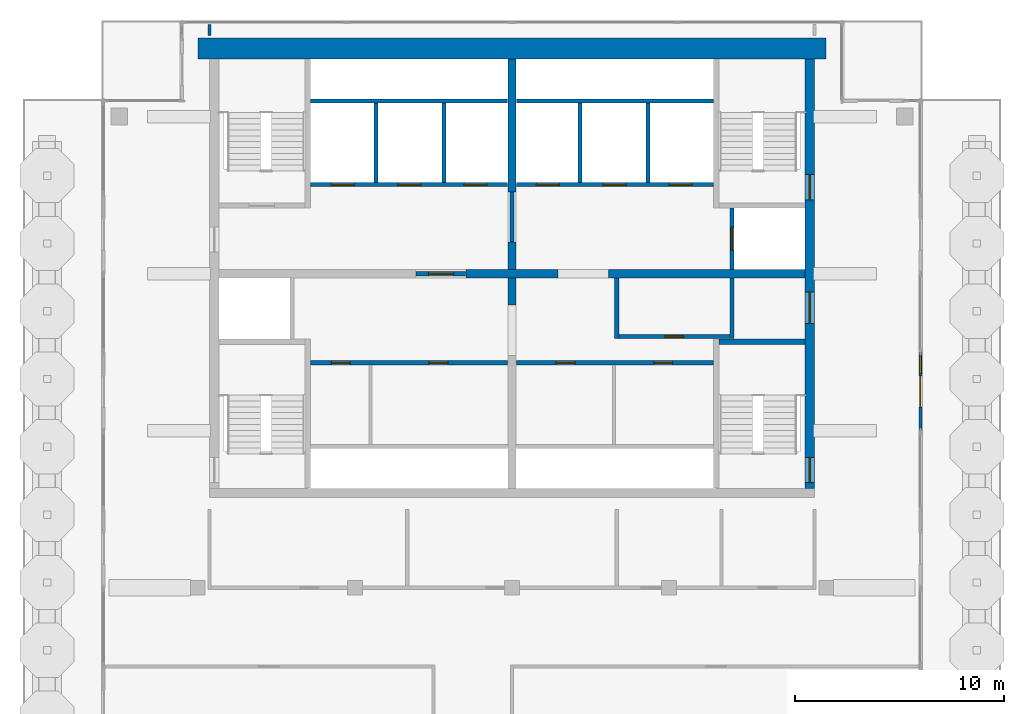
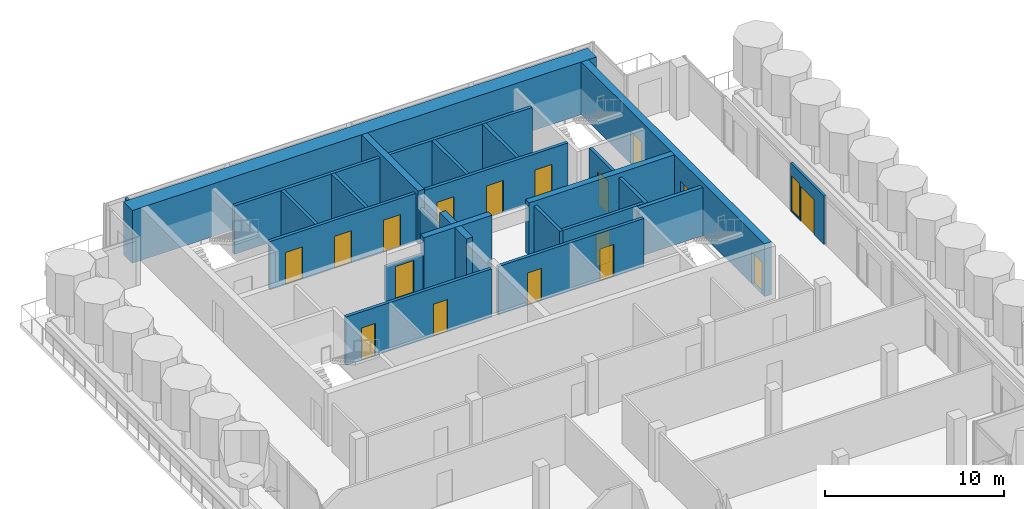
# One storey, part 10 of 15: 26 walls, 17 doors, 1 window, 18 openings.
"""IFC4 building model written with IfcOpenShell, lengths in metres."""

from ifc_helpers import new_model, si_unit, direction, frame, frame_2d, origin, place, context, subcontext, project, spatial, rectangle, extrude, material, layer, layer_set, type_object, element, fill, save


model = new_model("IFC4")

# Units and contexts
model_context = context("Model", 3, precision=1e-05, world=origin(), true_north=direction((0.0, 1.0)))
body_context = subcontext(model_context, "Body", "Model", "MODEL_VIEW")
ifc_project = project(units=[si_unit("LENGTHUNIT", "METRE"), si_unit("AREAUNIT", "SQUARE_METRE"), si_unit("VOLUMEUNIT", "CUBIC_METRE"), si_unit("PLANEANGLEUNIT", "RADIAN"), si_unit("MASSUNIT", "GRAM", prefix="KILO")], contexts=[model_context])

# Site, building, storey
site_placement = place(None, origin())
site = spatial("IfcSite", under=ifc_project, at=site_placement, CompositionType="ELEMENT")
building_placement = place(site_placement, origin())
building = spatial("IfcBuilding", under=site, at=building_placement, Name="Pilkhan Gate Tower", CompositionType="ELEMENT")
storey_placement = place(building_placement, frame((0.0, 0.0, 265.699951171875)))
storey = spatial("IfcBuildingStorey", under=building, at=storey_placement, Name="L69", CompositionType="ELEMENT", Elevation=265.699951171875)

# Wall
ifc_material_1 = material(Name="Concrete C50/60", Category="concrete")
ifc_layer_1 = layer(ifc_material_1, 1.0)
ifc_layer_set_1 = layer_set([ifc_layer_1], Name="Core wall CW1000 C50/60")
wall_type_1 = type_object("IfcWallType", Name="Core wall CW1000 C50/60", PredefinedType="SHEAR", material=ifc_layer_set_1)
wall_1_placement = place(storey_placement, frame((90.0, 93.25, 0.0), z_axis=(0.0, 0.0, 1.0), x_axis=(-1.0, 0.0, 0.0)))
element("IfcWall", 1, at=wall_1_placement, inside=storey, type_object=wall_type_1, Name="Core wall N L69", PredefinedType="SHEAR", context=body_context, shape_type="SweptSolid", body=[
    extrude(rectangle(XDim=30.0, YDim=1.0, at=frame_2d((15.0, 0.0))), origin(), (0.0, 0.0, 1.0), 3.60009765625),
])

# Wall, openings, doors
ifc_layer_2 = layer(ifc_material_1, 0.449951171875)
ifc_layer_set_2 = layer_set([ifc_layer_2], Name="Core wall CW450 C50/60")
wall_type_2 = type_object("IfcWallType", Name="Core wall CW450 C50/60", PredefinedType="SHEAR", material=ifc_layer_set_2)
wall_2_placement = place(storey_placement, frame((89.22509765625, 72.25, 0.0), z_axis=(0.0, 0.0, 1.0), x_axis=(0.0, 1.0, 0.0)))
wall_2 = element("IfcWall", 2, at=wall_2_placement, inside=storey, type_object=wall_type_2, Name="Core wall E L69", PredefinedType="SHEAR", context=body_context, shape_type="SweptSolid", body=[
    extrude(rectangle(XDim=20.5, YDim=0.449951171875, at=frame_2d((10.25, 0.0))), origin(), (0.0, 0.0, 1.0), 3.60009765625),
])
opening_1_placement = place(wall_2_placement, frame((0.27490234375, 0.0, 0.0)))
opening_1 = element("IfcOpeningElement", 3, at=opening_1_placement, cuts=wall_2, Name="Opening L69-03", PredefinedType="OPENING", context=body_context, shape_type="SweptSolid", body=[
    extrude(rectangle(XDim=1.199951171875, YDim=2.199951171875, at=frame_2d((0.60009765625, 1.10009765625))), frame((0.0, 0.23486328125, 0.0), z_axis=(0.0, -1.0, 0.0), x_axis=(1.0, 0.0, 0.0)), (0.0, 0.0, 1.0), 0.469970703125),
])
opening_2_placement = place(wall_2_placement, frame((13.77490234375, 0.0, 0.0)))
opening_2 = element("IfcOpeningElement", 4, at=opening_2_placement, cuts=wall_2, Name="Opening L69-05", PredefinedType="OPENING", context=body_context, shape_type="SweptSolid", body=[
    extrude(rectangle(XDim=1.199951171875, YDim=2.199951171875, at=frame_2d((0.60009765625, 1.10009765625))), frame((0.0, 0.23486328125, 0.0), z_axis=(0.0, -1.0, 0.0), x_axis=(1.0, 0.0, 0.0)), (0.0, 0.0, 1.0), 0.469970703125),
])
opening_3_placement = place(wall_2_placement, frame((7.875, 0.0, 0.0)))
opening_3 = element("IfcOpeningElement", 5, at=opening_3_placement, cuts=wall_2, Name="Opening L69-06", PredefinedType="OPENING", context=body_context, shape_type="SweptSolid", body=[
    extrude(rectangle(XDim=1.5, YDim=2.199951171875, at=frame_2d((0.75, 1.10009765625))), frame((0.0, 0.23486328125, 0.0), z_axis=(0.0, -1.0, 0.0), x_axis=(1.0, 0.0, 0.0)), (0.0, 0.0, 1.0), 0.469970703125),
])
ifc_material_2 = material(Name="Steel framed glazed door, 60 minute fire resisting", Category="steel")
door_type_1 = type_object("IfcDoorType", Name="Lobby door D09 1500x2200", OperationType="DOUBLE_DOOR_SINGLE_SWING", PredefinedType="DOOR", material=ifc_material_2)
door_1_placement = place(opening_3_placement, origin())
door_1 = element("IfcDoor", 6, at=door_1_placement, inside=storey, type_object=door_type_1, Name="Core door", OperationType="DOUBLE_DOOR_SINGLE_SWING", OverallHeight=2.199951171875, OverallWidth=1.5, PredefinedType="DOOR", context=body_context, shape_type="SweptSolid", body=[
    extrude(rectangle(XDim=1.5, YDim=2.199951171875, at=frame_2d((0.75, 1.10009765625))), frame((0.0, 0.02490234375, 0.0), z_axis=(0.0, -1.0, 0.0), x_axis=(1.0, 0.0, 0.0)), (0.0, 0.0, 1.0), 0.050048828125),
])
fill(opening_3, door_1)
ifc_material_3 = material(Name="Steel door, 120 minute fire resisting, panic bar", Category="steel")
door_type_2 = type_object("IfcDoorType", Name="Stair door D11 1200x2200", OperationType="SINGLE_SWING_LEFT", PredefinedType="DOOR", material=ifc_material_3)
door_2_placement = place(opening_1_placement, origin())
door_2 = element("IfcDoor", 7, at=door_2_placement, inside=storey, type_object=door_type_2, Name="Stair ST1 door", OperationType="SINGLE_SWING_RIGHT", OverallHeight=2.199951171875, OverallWidth=1.199951171875, PredefinedType="DOOR", context=body_context, shape_type="SweptSolid", body=[
    extrude(rectangle(XDim=1.199951171875, YDim=2.199951171875, at=frame_2d((0.60009765625, 1.10009765625))), frame((0.0, 0.02490234375, 0.0), z_axis=(0.0, -1.0, 0.0), x_axis=(1.0, 0.0, 0.0)), (0.0, 0.0, 1.0), 0.050048828125),
])
fill(opening_1, door_2)
door_3_placement = place(opening_2_placement, origin())
door_3 = element("IfcDoor", 8, at=door_3_placement, inside=storey, type_object=door_type_2, Name="Stair ST4 door", OperationType="SINGLE_SWING_LEFT", OverallHeight=2.199951171875, OverallWidth=1.199951171875, PredefinedType="DOOR", context=body_context, shape_type="SweptSolid", body=[
    extrude(rectangle(XDim=1.199951171875, YDim=2.199951171875, at=frame_2d((0.60009765625, 1.10009765625))), frame((0.0, 0.02490234375, 0.0), z_axis=(0.0, -1.0, 0.0), x_axis=(1.0, 0.0, 0.0)), (0.0, 0.0, 1.0), 0.050048828125),
])
fill(opening_2, door_3)

# Wall, openings, door, window
ifc_material_4 = material(Name="Pale anodised aluminium, clear laminated glazing", Category="aluminium")
ifc_layer_3 = layer(ifc_material_4, 0.14990234375)
ifc_layer_set_3 = layer_set([ifc_layer_3], Name="Facade infill wall IW150")
wall_type_3 = type_object("IfcWallType", Name="Facade infill wall IW150", PredefinedType="SOLIDWALL", material=ifc_layer_set_3)
wall_3_placement = place(storey_placement, frame((94.5, 78.75, 0.0), z_axis=(0.0, 0.0, 1.0), x_axis=(0.0, -1.0, 0.0)))
wall_3 = element("IfcWall", 9, at=wall_3_placement, inside=storey, type_object=wall_type_3, Name="Infill wall L69 E", PredefinedType="SOLIDWALL", context=body_context, shape_type="SweptSolid", body=[
    extrude(rectangle(XDim=3.75, YDim=0.14990234375, at=frame_2d((1.875, 0.0))), origin(), (0.0, 0.0, 1.0), 3.300048828125),
])
opening_4_placement = place(wall_3_placement, frame((0.112548828125, 0.0, 0.10009765625)))
opening_4 = element("IfcOpeningElement", 10, at=opening_4_placement, cuts=wall_3, Name="Opening W1", PredefinedType="OPENING", context=body_context, shape_type="SweptSolid", body=[
    extrude(rectangle(XDim=0.89990234375, YDim=2.39990234375, at=frame_2d((0.449951171875, 1.199951171875))), frame((0.0, 0.0849609375, 0.0), z_axis=(0.0, -1.0, 0.0), x_axis=(1.0, 0.0, 0.0)), (0.0, 0.0, 1.0), 0.169921875),
])
opening_5_placement = place(wall_3_placement, frame((1.125, 0.0, 0.0)))
opening_5 = element("IfcOpeningElement", 11, at=opening_5_placement, cuts=wall_3, Name="Opening D5", PredefinedType="OPENING", context=body_context, shape_type="SweptSolid", body=[
    extrude(rectangle(XDim=1.5, YDim=2.39990234375, at=frame_2d((0.75, 1.199951171875))), frame((0.0, 0.0849609375, 0.0), z_axis=(0.0, -1.0, 0.0), x_axis=(1.0, 0.0, 0.0)), (0.0, 0.0, 1.0), 0.169921875),
])
ifc_material_5 = material(Name="Pale anodised aluminium, clear glazing", Category="aluminium")
door_type_3 = type_object("IfcDoorType", Name="Terrace door D5 1500x2400", OperationType="DOUBLE_DOOR_SINGLE_SWING", PredefinedType="DOOR", material=ifc_material_5)
door_4_placement = place(opening_5_placement, origin())
door_4 = element("IfcDoor", 12, at=door_4_placement, inside=storey, type_object=door_type_3, Name="Terrace door L69", OperationType="DOUBLE_DOOR_SINGLE_SWING", OverallHeight=2.39990234375, OverallWidth=1.5, PredefinedType="DOOR", context=body_context, shape_type="SweptSolid", body=[
    extrude(rectangle(XDim=1.5, YDim=2.39990234375, at=frame_2d((0.75, 1.199951171875))), frame((0.0, 0.02490234375, 0.0), z_axis=(0.0, -1.0, 0.0), x_axis=(1.0, 0.0, 0.0)), (0.0, 0.0, 1.0), 0.050048828125),
])
fill(opening_5, door_4)
ifc_material_6 = material(Name="Pale anodised aluminium, clear double glazing", Category="aluminium")
window_type = type_object("IfcWindowType", Name="Window W1 900x2400", PartitioningType="SINGLE_PANEL", PredefinedType="WINDOW", material=ifc_material_6)
window_placement = place(opening_4_placement, origin())
window = element("IfcWindow", 13, at=window_placement, inside=storey, type_object=window_type, Name="Window L69", OverallHeight=2.39990234375, OverallWidth=0.89990234375, PartitioningType="SINGLE_PANEL", PredefinedType="WINDOW", context=body_context, shape_type="SweptSolid", body=[
    extrude(rectangle(XDim=0.89990234375, YDim=2.39990234375, at=frame_2d((0.449951171875, 1.199951171875))), frame((0.0, 0.030029296875, 0.0), z_axis=(0.0, -1.0, 0.0), x_axis=(1.0, 0.0, 0.0)), (0.0, 0.0, 1.0), 0.06005859375),
])
fill(opening_4, window)

# Wall, openings, doors
ifc_material_7 = material(Name="Dense blockwork", Category="masonry")
ifc_layer_4 = layer(ifc_material_7, 0.199951171875)
ifc_layer_set_4 = layer_set([ifc_layer_4], Name="Lobby wall LW200")
wall_type_4 = type_object("IfcWallType", Name="Lobby wall LW200", PredefinedType="PARTITIONING", material=ifc_layer_set_4)
wall_4_placement = place(storey_placement, frame((65.375, 78.25, 0.0), z_axis=(0.0, 0.0, 1.0), x_axis=(1.0, 0.0, 0.0)))
wall_4 = element("IfcWall", 14, at=wall_4_placement, inside=storey, type_object=wall_type_4, Name="Partition L69", PredefinedType="PARTITIONING", context=body_context, shape_type="SweptSolid", body=[
    extrude(rectangle(XDim=9.4150390625, YDim=0.199951171875, at=frame_2d((4.70751953125, 0.0))), origin(), (0.0, 0.0, 1.0), 3.300048828125),
])
opening_6_placement = place(wall_4_placement, frame((1.0, 0.0, 0.0)))
opening_6 = element("IfcOpeningElement", 15, at=opening_6_placement, cuts=wall_4, Name="Opening L69-09", PredefinedType="OPENING", context=body_context, shape_type="SweptSolid", body=[
    extrude(rectangle(XDim=0.89990234375, YDim=2.199951171875, at=frame_2d((0.449951171875, 1.10009765625))), frame((0.0, 0.10986328125, 0.0), z_axis=(0.0, -1.0, 0.0), x_axis=(1.0, 0.0, 0.0)), (0.0, 0.0, 1.0), 0.219970703125),
])
opening_7_placement = place(wall_4_placement, frame((5.6650390625, 0.0, 0.0)))
opening_7 = element("IfcOpeningElement", 16, at=opening_7_placement, cuts=wall_4, Name="Opening L69-10", PredefinedType="OPENING", context=body_context, shape_type="SweptSolid", body=[
    extrude(rectangle(XDim=0.89990234375, YDim=2.199951171875, at=frame_2d((0.449951171875, 1.10009765625))), frame((0.0, 0.10986328125, 0.0), z_axis=(0.0, -1.0, 0.0), x_axis=(1.0, 0.0, 0.0)), (0.0, 0.0, 1.0), 0.219970703125),
])
ifc_material_8 = material(Name="Timber flush door, 60 minute fire resisting, self-closing", Category="wood")
door_type_4 = type_object("IfcDoorType", Name="Store door D05 900x2200", OperationType="SINGLE_SWING_LEFT", PredefinedType="DOOR", material=ifc_material_8)
door_5_placement = place(opening_6_placement, origin())
door_5 = element("IfcDoor", 17, at=door_5_placement, inside=storey, type_object=door_type_4, Name="Store door", OperationType="SINGLE_SWING_LEFT", OverallHeight=2.199951171875, OverallWidth=0.89990234375, PredefinedType="DOOR", context=body_context, shape_type="SweptSolid", body=[
    extrude(rectangle(XDim=0.89990234375, YDim=2.199951171875, at=frame_2d((0.449951171875, 1.10009765625))), frame((0.0, 0.02490234375, 0.0), z_axis=(0.0, -1.0, 0.0), x_axis=(1.0, 0.0, 0.0)), (0.0, 0.0, 1.0), 0.050048828125),
])
fill(opening_6, door_5)
door_6_placement = place(opening_7_placement, origin())
door_6 = element("IfcDoor", 18, at=door_6_placement, inside=storey, type_object=door_type_4, Name="Store door", OperationType="SINGLE_SWING_LEFT", OverallHeight=2.199951171875, OverallWidth=0.89990234375, PredefinedType="DOOR", context=body_context, shape_type="SweptSolid", body=[
    extrude(rectangle(XDim=0.89990234375, YDim=2.199951171875, at=frame_2d((0.449951171875, 1.10009765625))), frame((0.0, 0.02490234375, 0.0), z_axis=(0.0, -1.0, 0.0), x_axis=(1.0, 0.0, 0.0)), (0.0, 0.0, 1.0), 0.050048828125),
])
fill(opening_7, door_6)

wall_5_placement = place(storey_placement, frame((75.2099609375, 78.25, 0.0), z_axis=(0.0, 0.0, 1.0), x_axis=(1.0, 0.0, 0.0)))
wall_5 = element("IfcWall", 19, at=wall_5_placement, inside=storey, type_object=wall_type_4, Name="Partition L69", PredefinedType="PARTITIONING", context=body_context, shape_type="SweptSolid", body=[
    extrude(rectangle(XDim=9.4150390625, YDim=0.199951171875, at=frame_2d((4.70751953125, 0.0))), origin(), (0.0, 0.0, 1.0), 3.300048828125),
])
opening_8_placement = place(wall_5_placement, frame((1.89990234375, 0.0, 0.0)))
opening_8 = element("IfcOpeningElement", 20, at=opening_8_placement, cuts=wall_5, Name="Opening L69-11", PredefinedType="OPENING", context=body_context, shape_type="SweptSolid", body=[
    extrude(rectangle(XDim=0.89990234375, YDim=2.199951171875, at=frame_2d((0.449951171875, 1.10009765625))), frame((0.0, 0.10986328125, 0.0), z_axis=(0.0, -1.0, 0.0), x_axis=(1.0, 0.0, 0.0)), (0.0, 0.0, 1.0), 0.219970703125),
])
opening_9_placement = place(wall_5_placement, frame((6.56494140625, 0.0, 0.0)))
opening_9 = element("IfcOpeningElement", 21, at=opening_9_placement, cuts=wall_5, Name="Opening L69-12", PredefinedType="OPENING", context=body_context, shape_type="SweptSolid", body=[
    extrude(rectangle(XDim=0.89990234375, YDim=2.199951171875, at=frame_2d((0.449951171875, 1.10009765625))), frame((0.0, 0.10986328125, 0.0), z_axis=(0.0, -1.0, 0.0), x_axis=(1.0, 0.0, 0.0)), (0.0, 0.0, 1.0), 0.219970703125),
])
door_7_placement = place(opening_8_placement, origin())
door_7 = element("IfcDoor", 22, at=door_7_placement, inside=storey, type_object=door_type_4, Name="Store door", OperationType="SINGLE_SWING_LEFT", OverallHeight=2.199951171875, OverallWidth=0.89990234375, PredefinedType="DOOR", context=body_context, shape_type="SweptSolid", body=[
    extrude(rectangle(XDim=0.89990234375, YDim=2.199951171875, at=frame_2d((0.449951171875, 1.10009765625))), frame((0.0, 0.02490234375, 0.0), z_axis=(0.0, -1.0, 0.0), x_axis=(1.0, 0.0, 0.0)), (0.0, 0.0, 1.0), 0.050048828125),
])
fill(opening_8, door_7)
door_8_placement = place(opening_9_placement, origin())
door_8 = element("IfcDoor", 23, at=door_8_placement, inside=storey, type_object=door_type_4, Name="Store door", OperationType="SINGLE_SWING_LEFT", OverallHeight=2.199951171875, OverallWidth=0.89990234375, PredefinedType="DOOR", context=body_context, shape_type="SweptSolid", body=[
    extrude(rectangle(XDim=0.89990234375, YDim=2.199951171875, at=frame_2d((0.449951171875, 1.10009765625))), frame((0.0, 0.02490234375, 0.0), z_axis=(0.0, -1.0, 0.0), x_axis=(1.0, 0.0, 0.0)), (0.0, 0.0, 1.0), 0.050048828125),
])
fill(opening_9, door_8)

# Wall, opening, door
wall_6_placement = place(storey_placement, frame((80.10009765625, 79.5, 0.0), z_axis=(0.0, 0.0, 1.0), x_axis=(1.0, 0.0, 0.0)))
wall_6 = element("IfcWall", 24, at=wall_6_placement, inside=storey, type_object=wall_type_4, Name="Partition L69", PredefinedType="PARTITIONING", context=body_context, shape_type="SweptSolid", body=[
    extrude(rectangle(XDim=5.2998046875, YDim=0.199951171875, at=frame_2d((2.64990234375, 0.0))), origin(), (0.0, 0.0, 1.0), 3.300048828125),
])
opening_10_placement = place(wall_6_placement, frame((2.199951171875, 0.0, 0.0)))
opening_10 = element("IfcOpeningElement", 25, at=opening_10_placement, cuts=wall_6, Name="Opening L69-07", PredefinedType="OPENING", context=body_context, shape_type="SweptSolid", body=[
    extrude(rectangle(XDim=0.89990234375, YDim=2.199951171875, at=frame_2d((0.449951171875, 1.10009765625))), frame((0.0, 0.10986328125, 0.0), z_axis=(0.0, -1.0, 0.0), x_axis=(1.0, 0.0, 0.0)), (0.0, 0.0, 1.0), 0.219970703125),
])
door_9_placement = place(opening_10_placement, origin())
door_9 = element("IfcDoor", 26, at=door_9_placement, inside=storey, type_object=door_type_4, Name="Store door", OperationType="SINGLE_SWING_RIGHT", OverallHeight=2.199951171875, OverallWidth=0.89990234375, PredefinedType="DOOR", context=body_context, shape_type="SweptSolid", body=[
    extrude(rectangle(XDim=0.89990234375, YDim=2.199951171875, at=frame_2d((0.449951171875, 1.10009765625))), frame((0.0, 0.02490234375, 0.0), z_axis=(0.0, -1.0, 0.0), x_axis=(1.0, 0.0, 0.0)), (0.0, 0.0, 1.0), 0.050048828125),
])
fill(opening_10, door_9)

wall_7_placement = place(storey_placement, frame((70.409912109375, 82.5, 0.0), z_axis=(0.0, 0.0, 1.0), x_axis=(1.0, 0.0, 0.0)))
wall_7 = element("IfcWall", 27, at=wall_7_placement, inside=storey, type_object=wall_type_4, Name="Partition L69", PredefinedType="PARTITIONING", context=body_context, shape_type="SweptSolid", body=[
    extrude(rectangle(XDim=2.380126953125, YDim=0.199951171875, at=frame_2d((1.18994140625, 0.0))), origin(), (0.0, 0.0, 1.0), 2.400146484375),
])
opening_11_placement = place(wall_7_placement, frame((0.60009765625, 0.0, 0.0)))
opening_11 = element("IfcOpeningElement", 28, at=opening_11_placement, cuts=wall_7, Name="Opening L69-01", PredefinedType="OPENING", context=body_context, shape_type="SweptSolid", body=[
    extrude(rectangle(XDim=1.199951171875, YDim=2.199951171875, at=frame_2d((0.60009765625, 1.10009765625))), frame((0.0, 0.10986328125, 0.0), z_axis=(0.0, -1.0, 0.0), x_axis=(1.0, 0.0, 0.0)), (0.0, 0.0, 1.0), 0.219970703125),
])
ifc_material_9 = material(Name="Steel door, 120 minute fire resisting, self-closing", Category="steel")
door_type_5 = type_object("IfcDoorType", Name="Firefighting lobby door D10 1200x2200", OperationType="SINGLE_SWING_LEFT", PredefinedType="DOOR", material=ifc_material_9)
door_10_placement = place(opening_11_placement, origin())
door_10 = element("IfcDoor", 29, at=door_10_placement, inside=storey, type_object=door_type_5, Name="Firefighting lobby door", OperationType="SINGLE_SWING_RIGHT", OverallHeight=2.199951171875, OverallWidth=1.199951171875, PredefinedType="DOOR", context=body_context, shape_type="SweptSolid", body=[
    extrude(rectangle(XDim=1.199951171875, YDim=2.199951171875, at=frame_2d((0.60009765625, 1.10009765625))), frame((0.0, 0.02490234375, 0.0), z_axis=(0.0, -1.0, 0.0), x_axis=(1.0, 0.0, 0.0)), (0.0, 0.0, 1.0), 0.050048828125),
])
fill(opening_11, door_10)

# Walls
wall_8_placement = place(storey_placement, frame((75.0, 84.010009765625, 0.0), z_axis=(0.0, 0.0, 1.0), x_axis=(0.0, 1.0, 0.0)))
element("IfcWall", 30, at=wall_8_placement, inside=storey, type_object=wall_type_4, Name="Partition L69", PredefinedType="PARTITIONING", context=body_context, shape_type="SweptSolid", body=[
    extrude(rectangle(XDim=2.3798828125, YDim=0.199951171875, at=frame_2d((1.18994140625, 0.0))), origin(), (0.0, 0.0, 1.0), 2.400146484375),
])
for number, where, z_axis, x_axis, name in (
    (31, (80.0, 79.39990234375, 0.0), (0.0, 0.0, 1.0), (0.0, 1.0, 0.0), "Partition L69"),
    (32, (85.5, 79.39990234375, 0.0), (0.0, 0.0, 1.0), (0.0, 1.0, 0.0), "Partition L69"),
):
    element("IfcWall", number, at=place(storey_placement, frame(where, z_axis=z_axis, x_axis=x_axis)), inside=storey, type_object=wall_type_4, Name=name, PredefinedType="PARTITIONING", context=body_context, shape_type="SweptSolid", body=[
        extrude(rectangle(XDim=2.89013671875, YDim=0.199951171875, at=frame_2d((1.445068359375, 0.0))), origin(), (0.0, 0.0, 1.0), 3.300048828125),
    ])
ifc_material_10 = material(Name="Blockwork partition, plastered both sides", Category="masonry")
ifc_layer_5 = layer(ifc_material_10, 0.14990234375)
ifc_layer_set_5 = layer_set([ifc_layer_5], Name="Partition PW150")
wall_type_5 = type_object("IfcWallType", Name="Partition PW150", PredefinedType="PARTITIONING", material=ifc_layer_set_5)
wall_9_placement = place(storey_placement, frame((60.550048828125, 93.8701171875, 0.0), z_axis=(0.0, 0.0, 1.0), x_axis=(0.0, 1.0, 0.0)))
element("IfcWall", 33, at=wall_9_placement, inside=storey, type_object=wall_type_5, Name="Partition L69", PredefinedType="PARTITIONING", context=body_context, shape_type="SweptSolid", body=[
    extrude(rectangle(XDim=0.52490234375, YDim=0.14990234375, at=frame_2d((0.262451171875, 0.0))), origin(), (0.0, 0.0, 1.0), 3.300048828125),
])

# Wall, openings, doors
ifc_material_11 = material(Name="Reinforced blockwork shaft wall, 120 minute fire resisting", Category="masonry")
ifc_layer_6 = layer(ifc_material_11, 0.199951171875)
ifc_layer_set_6 = layer_set([ifc_layer_6], Name="Shaft wall SW200")
wall_type_6 = type_object("IfcWallType", Name="Shaft wall SW200", PredefinedType="PARTITIONING", material=ifc_layer_set_6)
wall_10_placement = place(storey_placement, frame((65.375, 86.75, 0.0), z_axis=(0.0, 0.0, 1.0), x_axis=(1.0, 0.0, 0.0)))
wall_10 = element("IfcWall", 34, at=wall_10_placement, inside=storey, type_object=wall_type_6, Name="Partition L69", PredefinedType="PARTITIONING", context=body_context, shape_type="SweptSolid", body=[
    extrude(rectangle(XDim=9.4150390625, YDim=0.199951171875, at=frame_2d((4.70751953125, 0.0))), origin(), (0.0, 0.0, 1.0), 3.300048828125),
])
opening_12_placement = place(wall_10_placement, frame((1.0, 0.0, 0.0)))
opening_12 = element("IfcOpeningElement", 35, at=opening_12_placement, cuts=wall_10, Name="Opening LD", PredefinedType="OPENING", context=body_context, shape_type="SweptSolid", body=[
    extrude(rectangle(XDim=1.10009765625, YDim=2.199951171875, at=frame_2d((0.550048828125, 1.10009765625))), frame((0.0, 0.10986328125, 0.0), z_axis=(0.0, -1.0, 0.0), x_axis=(1.0, 0.0, 0.0)), (0.0, 0.0, 1.0), 0.219970703125),
])
opening_13_placement = place(wall_10_placement, frame((4.175048828125, 0.0, 0.0)))
opening_13 = element("IfcOpeningElement", 36, at=opening_13_placement, cuts=wall_10, Name="Opening LD", PredefinedType="OPENING", context=body_context, shape_type="SweptSolid", body=[
    extrude(rectangle(XDim=1.10009765625, YDim=2.199951171875, at=frame_2d((0.550048828125, 1.10009765625))), frame((0.0, 0.10986328125, 0.0), z_axis=(0.0, -1.0, 0.0), x_axis=(1.0, 0.0, 0.0)), (0.0, 0.0, 1.0), 0.219970703125),
])
opening_14_placement = place(wall_10_placement, frame((7.324951171875, 0.0, 0.0)))
opening_14 = element("IfcOpeningElement", 37, at=opening_14_placement, cuts=wall_10, Name="Opening LD", PredefinedType="OPENING", context=body_context, shape_type="SweptSolid", body=[
    extrude(rectangle(XDim=1.10009765625, YDim=2.199951171875, at=frame_2d((0.550048828125, 1.10009765625))), frame((0.0, 0.10986328125, 0.0), z_axis=(0.0, -1.0, 0.0), x_axis=(1.0, 0.0, 0.0)), (0.0, 0.0, 1.0), 0.219970703125),
])
ifc_material_12 = material(Name="Stainless steel centre-opening landing door, 120 minute fire resisting", Category="steel")
door_type_6 = type_object("IfcDoorType", Name="Lift landing door LD 1100x2200", OperationType="DOUBLE_DOOR_SLIDING", PredefinedType="DOOR", material=ifc_material_12)
door_11_placement = place(opening_12_placement, origin())
door_11 = element("IfcDoor", 38, at=door_11_placement, inside=storey, type_object=door_type_6, Name="Landing door FF1", OperationType="DOUBLE_DOOR_SLIDING", OverallHeight=2.199951171875, OverallWidth=1.10009765625, PredefinedType="DOOR", context=body_context, shape_type="SweptSolid", body=[
    extrude(rectangle(XDim=1.10009765625, YDim=2.199951171875, at=frame_2d((0.550048828125, 1.10009765625))), frame((0.0, 0.02490234375, 0.0), z_axis=(0.0, -1.0, 0.0), x_axis=(1.0, 0.0, 0.0)), (0.0, 0.0, 1.0), 0.050048828125),
])
fill(opening_12, door_11)
door_12_placement = place(opening_13_placement, origin())
door_12 = element("IfcDoor", 39, at=door_12_placement, inside=storey, type_object=door_type_6, Name="Landing door FF2", OperationType="DOUBLE_DOOR_SLIDING", OverallHeight=2.199951171875, OverallWidth=1.10009765625, PredefinedType="DOOR", context=body_context, shape_type="SweptSolid", body=[
    extrude(rectangle(XDim=1.10009765625, YDim=2.199951171875, at=frame_2d((0.550048828125, 1.10009765625))), frame((0.0, 0.02490234375, 0.0), z_axis=(0.0, -1.0, 0.0), x_axis=(1.0, 0.0, 0.0)), (0.0, 0.0, 1.0), 0.050048828125),
])
fill(opening_13, door_12)
door_13_placement = place(opening_14_placement, origin())
door_13 = element("IfcDoor", 40, at=door_13_placement, inside=storey, type_object=door_type_6, Name="Landing door SV1", OperationType="DOUBLE_DOOR_SLIDING", OverallHeight=2.199951171875, OverallWidth=1.10009765625, PredefinedType="DOOR", context=body_context, shape_type="SweptSolid", body=[
    extrude(rectangle(XDim=1.10009765625, YDim=2.199951171875, at=frame_2d((0.550048828125, 1.10009765625))), frame((0.0, 0.02490234375, 0.0), z_axis=(0.0, -1.0, 0.0), x_axis=(1.0, 0.0, 0.0)), (0.0, 0.0, 1.0), 0.050048828125),
])
fill(opening_14, door_13)

wall_11_placement = place(storey_placement, frame((75.2099609375, 86.75, 0.0), z_axis=(0.0, 0.0, 1.0), x_axis=(1.0, 0.0, 0.0)))
wall_11 = element("IfcWall", 41, at=wall_11_placement, inside=storey, type_object=wall_type_6, Name="Partition L69", PredefinedType="PARTITIONING", context=body_context, shape_type="SweptSolid", body=[
    extrude(rectangle(XDim=9.4150390625, YDim=0.199951171875, at=frame_2d((4.70751953125, 0.0))), origin(), (0.0, 0.0, 1.0), 3.300048828125),
])
opening_15_placement = place(wall_11_placement, frame((0.949951171875, 0.0, 0.0)))
opening_15 = element("IfcOpeningElement", 42, at=opening_15_placement, cuts=wall_11, Name="Opening LD", PredefinedType="OPENING", context=body_context, shape_type="SweptSolid", body=[
    extrude(rectangle(XDim=1.10009765625, YDim=2.199951171875, at=frame_2d((0.550048828125, 1.10009765625))), frame((0.0, 0.10986328125, 0.0), z_axis=(0.0, -1.0, 0.0), x_axis=(1.0, 0.0, 0.0)), (0.0, 0.0, 1.0), 0.219970703125),
])
opening_16_placement = place(wall_11_placement, frame((4.139892578125, 0.0, 0.0)))
opening_16 = element("IfcOpeningElement", 43, at=opening_16_placement, cuts=wall_11, Name="Opening LD", PredefinedType="OPENING", context=body_context, shape_type="SweptSolid", body=[
    extrude(rectangle(XDim=1.10009765625, YDim=2.199951171875, at=frame_2d((0.550048828125, 1.10009765625))), frame((0.0, 0.10986328125, 0.0), z_axis=(0.0, -1.0, 0.0), x_axis=(1.0, 0.0, 0.0)), (0.0, 0.0, 1.0), 0.219970703125),
])
opening_17_placement = place(wall_11_placement, frame((7.2900390625, 0.0, 0.0)))
opening_17 = element("IfcOpeningElement", 44, at=opening_17_placement, cuts=wall_11, Name="Opening LD", PredefinedType="OPENING", context=body_context, shape_type="SweptSolid", body=[
    extrude(rectangle(XDim=1.10009765625, YDim=2.199951171875, at=frame_2d((0.550048828125, 1.10009765625))), frame((0.0, 0.10986328125, 0.0), z_axis=(0.0, -1.0, 0.0), x_axis=(1.0, 0.0, 0.0)), (0.0, 0.0, 1.0), 0.219970703125),
])
door_14_placement = place(opening_15_placement, origin())
door_14 = element("IfcDoor", 45, at=door_14_placement, inside=storey, type_object=door_type_6, Name="Landing door HR1", OperationType="DOUBLE_DOOR_SLIDING", OverallHeight=2.199951171875, OverallWidth=1.10009765625, PredefinedType="DOOR", context=body_context, shape_type="SweptSolid", body=[
    extrude(rectangle(XDim=1.10009765625, YDim=2.199951171875, at=frame_2d((0.550048828125, 1.10009765625))), frame((0.0, 0.02490234375, 0.0), z_axis=(0.0, -1.0, 0.0), x_axis=(1.0, 0.0, 0.0)), (0.0, 0.0, 1.0), 0.050048828125),
])
fill(opening_15, door_14)
door_15_placement = place(opening_16_placement, origin())
door_15 = element("IfcDoor", 46, at=door_15_placement, inside=storey, type_object=door_type_6, Name="Landing door HR2", OperationType="DOUBLE_DOOR_SLIDING", OverallHeight=2.199951171875, OverallWidth=1.10009765625, PredefinedType="DOOR", context=body_context, shape_type="SweptSolid", body=[
    extrude(rectangle(XDim=1.10009765625, YDim=2.199951171875, at=frame_2d((0.550048828125, 1.10009765625))), frame((0.0, 0.02490234375, 0.0), z_axis=(0.0, -1.0, 0.0), x_axis=(1.0, 0.0, 0.0)), (0.0, 0.0, 1.0), 0.050048828125),
])
fill(opening_16, door_15)
door_16_placement = place(opening_17_placement, origin())
door_16 = element("IfcDoor", 47, at=door_16_placement, inside=storey, type_object=door_type_6, Name="Landing door HR3", OperationType="DOUBLE_DOOR_SLIDING", OverallHeight=2.199951171875, OverallWidth=1.10009765625, PredefinedType="DOOR", context=body_context, shape_type="SweptSolid", body=[
    extrude(rectangle(XDim=1.10009765625, YDim=2.199951171875, at=frame_2d((0.550048828125, 1.10009765625))), frame((0.0, 0.02490234375, 0.0), z_axis=(0.0, -1.0, 0.0), x_axis=(1.0, 0.0, 0.0)), (0.0, 0.0, 1.0), 0.050048828125),
])
fill(opening_17, door_16)

# Walls
for number, where, z_axis, x_axis, name in (
    (48, (65.375, 90.75, 0.0), (0.0, 0.0, 1.0), (1.0, 0.0, 0.0), "Partition L69"),
    (49, (75.2099609375, 90.75, 0.0), (0.0, 0.0, 1.0), (1.0, 0.0, 0.0), "Partition L69"),
):
    element("IfcWall", number, at=place(storey_placement, frame(where, z_axis=z_axis, x_axis=x_axis)), inside=storey, type_object=wall_type_6, Name=name, PredefinedType="PARTITIONING", context=body_context, shape_type="SweptSolid", body=[
        extrude(rectangle(XDim=9.4150390625, YDim=0.199951171875, at=frame_2d((4.70751953125, 0.0))), origin(), (0.0, 0.0, 1.0), 3.300048828125),
    ])
for number, where, z_axis, x_axis, name in (
    (50, (68.5, 86.85009765625, 0.0), (0.0, 0.0, 1.0), (0.0, 1.0, 0.0), "Partition L69"),
    (51, (71.75, 86.85009765625, 0.0), (0.0, 0.0, 1.0), (0.0, 1.0, 0.0), "Partition L69"),
    (52, (78.25, 86.85009765625, 0.0), (0.0, 0.0, 1.0), (0.0, 1.0, 0.0), "Partition L69"),
    (53, (81.5, 86.85009765625, 0.0), (0.0, 0.0, 1.0), (0.0, 1.0, 0.0), "Partition L69"),
):
    element("IfcWall", number, at=place(storey_placement, frame(where, z_axis=z_axis, x_axis=x_axis)), inside=storey, type_object=wall_type_6, Name=name, PredefinedType="PARTITIONING", context=body_context, shape_type="SweptSolid", body=[
        extrude(rectangle(XDim=3.7998046875, YDim=0.199951171875, at=frame_2d((1.89990234375, 0.0))), origin(), (0.0, 0.0, 1.0), 3.300048828125),
    ])

# Wall, opening, door
wall_12_placement = place(storey_placement, frame((85.5, 82.7099609375, 0.0), z_axis=(0.0, 0.0, 1.0), x_axis=(0.0, 1.0, 0.0)))
wall_12 = element("IfcWall", 54, at=wall_12_placement, inside=storey, type_object=wall_type_6, Name="Partition L69", PredefinedType="PARTITIONING", context=body_context, shape_type="SweptSolid", body=[
    extrude(rectangle(XDim=2.9150390625, YDim=0.199951171875, at=frame_2d((1.45751953125, 0.0))), origin(), (0.0, 0.0, 1.0), 3.300048828125),
])
opening_18_placement = place(wall_12_placement, frame((0.89990234375, 0.0, 0.0)))
opening_18 = element("IfcOpeningElement", 55, at=opening_18_placement, cuts=wall_12, Name="Opening LD", PredefinedType="OPENING", context=body_context, shape_type="SweptSolid", body=[
    extrude(rectangle(XDim=1.10009765625, YDim=2.199951171875, at=frame_2d((0.550048828125, 1.10009765625))), frame((0.0, 0.10986328125, 0.0), z_axis=(0.0, -1.0, 0.0), x_axis=(1.0, 0.0, 0.0)), (0.0, 0.0, 1.0), 0.219970703125),
])
door_17_placement = place(opening_18_placement, origin())
door_17 = element("IfcDoor", 56, at=door_17_placement, inside=storey, type_object=door_type_6, Name="Landing door HR4", OperationType="DOUBLE_DOOR_SLIDING", OverallHeight=2.199951171875, OverallWidth=1.10009765625, PredefinedType="DOOR", context=body_context, shape_type="SweptSolid", body=[
    extrude(rectangle(XDim=1.10009765625, YDim=2.199951171875, at=frame_2d((0.550048828125, 1.10009765625))), frame((0.0, 0.02490234375, 0.0), z_axis=(0.0, -1.0, 0.0), x_axis=(1.0, 0.0, 0.0)), (0.0, 0.0, 1.0), 0.050048828125),
])
fill(opening_18, door_17)

# Walls
ifc_layer_7 = layer(ifc_material_1, 0.39990234375)
ifc_layer_set_7 = layer_set([ifc_layer_7], Name="Spine wall SW400 C50/60")
wall_type_7 = type_object("IfcWallType", Name="Spine wall SW400 C50/60", PredefinedType="SHEAR", material=ifc_layer_set_7)
wall_13_placement = place(storey_placement, frame((72.800048828125, 82.5, 0.0), z_axis=(0.0, 0.0, 1.0), x_axis=(1.0, 0.0, 0.0)))
element("IfcWall", 57, at=wall_13_placement, inside=storey, type_object=wall_type_7, Name="Spine wall SP-EW2 L69", PredefinedType="SHEAR", context=body_context, shape_type="SweptSolid", body=[
    extrude(rectangle(XDim=4.39990234375, YDim=0.39990234375, at=frame_2d((2.199951171875, 0.0))), origin(), (0.0, 0.0, 1.0), 3.60009765625),
])
wall_14_placement = place(storey_placement, frame((79.60009765625, 82.5, 0.0), z_axis=(0.0, 0.0, 1.0), x_axis=(1.0, 0.0, 0.0)))
element("IfcWall", 58, at=wall_14_placement, inside=storey, type_object=wall_type_7, Name="Spine wall SP-EW3 L69", PredefinedType="SHEAR", context=body_context, shape_type="SweptSolid", body=[
    extrude(rectangle(XDim=9.39990234375, YDim=0.39990234375, at=frame_2d((4.699951171875, 0.0))), origin(), (0.0, 0.0, 1.0), 3.60009765625),
])
for number, where, z_axis, x_axis, name in (
    (59, (75.0, 81.0, 0.0), (0.0, 0.0, 1.0), (0.0, 1.0, 0.0), "Spine wall SP-NS-S2 L69"),
    (60, (75.0, 82.699951171875, 0.0), (0.0, 0.0, 1.0), (0.0, 1.0, 0.0), "Spine wall SP-NS-N1 L69"),
):
    element("IfcWall", number, at=place(storey_placement, frame(where, z_axis=z_axis, x_axis=x_axis)), inside=storey, type_object=wall_type_7, Name=name, PredefinedType="SHEAR", context=body_context, shape_type="SweptSolid", body=[
        extrude(rectangle(XDim=1.300048828125, YDim=0.39990234375, at=frame_2d((0.64990234375, 0.0))), origin(), (0.0, 0.0, 1.0), 3.60009765625),
    ])
wall_15_placement = place(storey_placement, frame((75.0, 86.39990234375, 0.0), z_axis=(0.0, 0.0, 1.0), x_axis=(0.0, 1.0, 0.0)))
element("IfcWall", 61, at=wall_15_placement, inside=storey, type_object=wall_type_7, Name="Spine wall SP-NS-N2 L69", PredefinedType="SHEAR", context=body_context, shape_type="SweptSolid", body=[
    extrude(rectangle(XDim=6.35009765625, YDim=0.39990234375, at=frame_2d((3.175048828125, 0.0))), origin(), (0.0, 0.0, 1.0), 3.60009765625),
])
ifc_material_13 = material(Name="Reinforced blockwork, 120 minute fire resisting", Category="masonry")
ifc_layer_8 = layer(ifc_material_13, 0.25)
ifc_layer_set_8 = layer_set([ifc_layer_8], Name="Stair enclosure wall SE250")
wall_type_8 = type_object("IfcWallType", Name="Stair enclosure wall SE250", PredefinedType="PARTITIONING", material=ifc_layer_set_8)
wall_16_placement = place(storey_placement, frame((84.875, 79.25, 0.0), z_axis=(0.0, 0.0, 1.0), x_axis=(1.0, 0.0, 0.0)))
element("IfcWall", 62, at=wall_16_placement, inside=storey, type_object=wall_type_8, Name="Partition L69", PredefinedType="PARTITIONING", context=body_context, shape_type="SweptSolid", body=[
    extrude(rectangle(XDim=4.114990234375, YDim=0.25, at=frame_2d((2.0576171875, 0.0))), origin(), (0.0, 0.0, 1.0), 3.300048828125),
])

save(model, "model.ifc")
